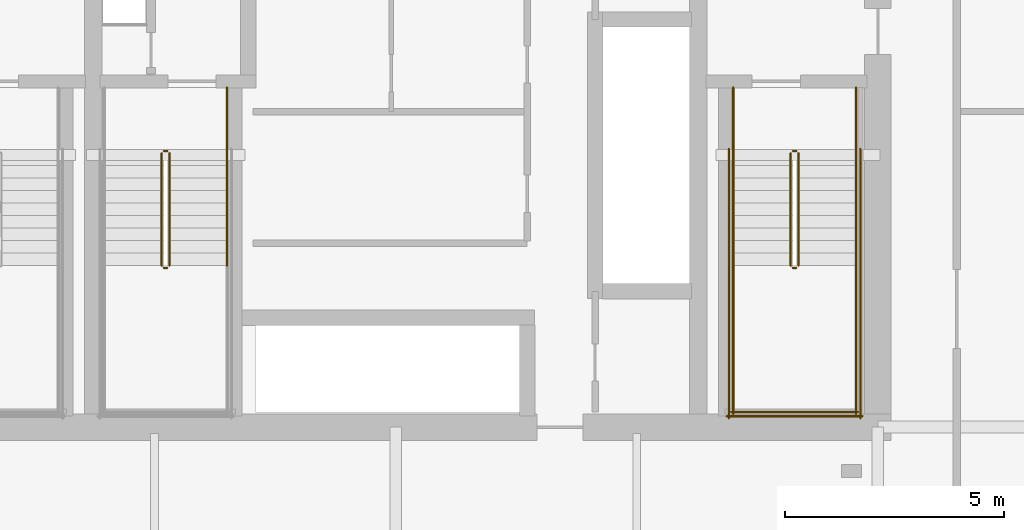
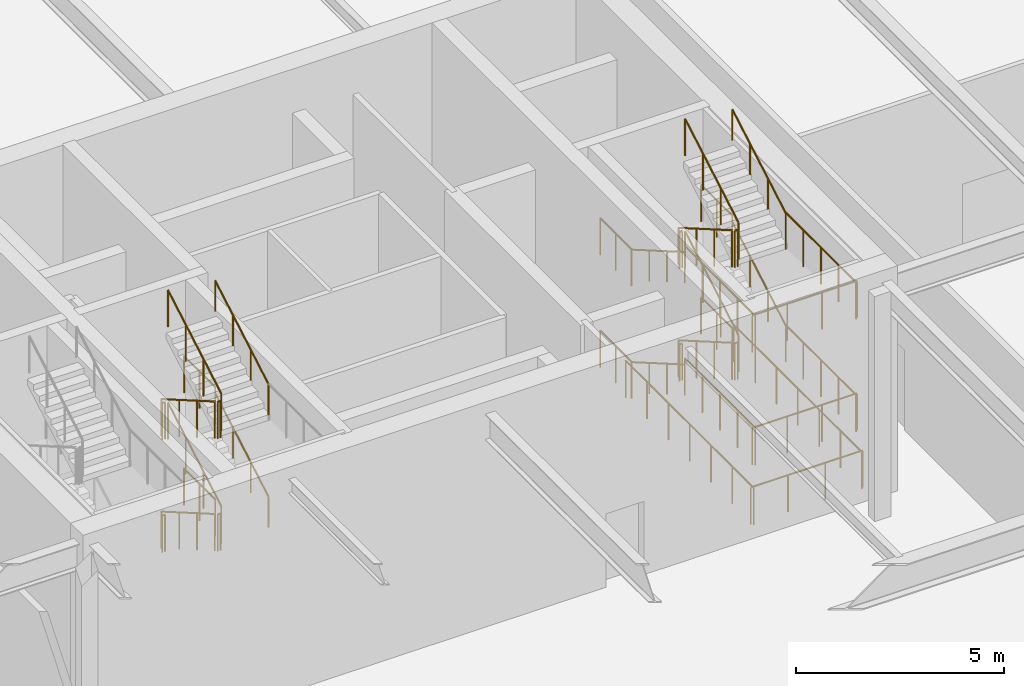
# One storey, part 13 of 16: 37 railings.
"""IFC4 building model written with IfcOpenShell, lengths in metres."""

from ifc_helpers import new_model, si_unit, direction, frame, origin, origin_2d, place, context, subcontext, project, spatial, circle, extrude, material, type_object, element, save


model = new_model("IFC4")

# Units and contexts
model_context = context("Model", 3, precision=1e-05, world=origin(), true_north=direction((0.0, 1.0)))
body_context = subcontext(model_context, "Body", "Model", "MODEL_VIEW")
ifc_project = project(units=[si_unit("LENGTHUNIT", "METRE"), si_unit("AREAUNIT", "SQUARE_METRE"), si_unit("VOLUMEUNIT", "CUBIC_METRE"), si_unit("PLANEANGLEUNIT", "RADIAN"), si_unit("MASSUNIT", "GRAM", prefix="KILO")], contexts=[model_context])

# Site, building, storey
site_placement = place(None, origin())
site = spatial("IfcSite", under=ifc_project, at=site_placement, CompositionType="ELEMENT")
building_placement = place(site_placement, origin())
building = spatial("IfcBuilding", under=site, at=building_placement, Name="Bramvorn Convention Spire", CompositionType="ELEMENT")
storey_placement = place(building_placement, frame((0.0, 0.0, 12.0)))
storey = spatial("IfcBuildingStorey", under=building, at=storey_placement, Name="L02", CompositionType="ELEMENT", Elevation=12.0)

# Railings
ifc_material_1 = material(Name="Painted Steel Balustrade & Guardrail", Category="steel")
railing_type_1 = type_object("IfcRailingType", Name="RL-STAIR-GUARD-1100", PredefinedType="GUARDRAIL", material=ifc_material_1)
railing_1_placement = place(storey_placement, frame((47.010009765625, 25.050048828125, 0.1650390625)))
element("IfcRailing", 1, at=railing_1_placement, inside=storey, type_object=railing_type_1, Name="L02 ST2 stair guard 1", PredefinedType="GUARDRAIL", context=body_context, shape_type="SweptSolid", body=[
    extrude(circle(Radius=0.02392578125, at=origin_2d()), frame((0.0, 0.0, 1.076171875), z_axis=(0.0, -0.865441324677, 0.50101029285), x_axis=(1.0, 0.0, 0.0)), (0.0, 0.0, 1.0), 2.963623046875),
    extrude(circle(Radius=0.02099609375, at=origin_2d()), origin(), (0.0, 0.0, 1.0), 1.052001953125),
    extrude(circle(Radius=0.02099609375, at=origin_2d()), frame((0.0, -0.85498046875, 0.494873046875)), (0.0, 0.0, 1.0), 1.052001953125),
    extrude(circle(Radius=0.02099609375, at=origin_2d()), frame((0.0, -1.7099609375, 0.989990234375)), (0.0, 0.0, 1.0), 1.052001953125),
    extrude(circle(Radius=0.02099609375, at=origin_2d()), frame((0.0, -2.56494140625, 1.48486328125)), (0.0, 0.0, 1.0), 1.052001953125),
])
railing_2_placement = place(storey_placement, frame((47.06005859375, 22.43505859375, 1.64990234375)))
element("IfcRailing", 2, at=railing_2_placement, inside=storey, type_object=railing_type_1, Name="L02 ST2 stair guard 2", PredefinedType="GUARDRAIL", context=body_context, shape_type="SweptSolid", body=[
    extrude(circle(Radius=0.02392578125, at=origin_2d()), frame((0.0, 0.0, 1.076171875), z_axis=(1.0, 0.0, 0.0), x_axis=(0.0, 1.0, 0.0)), (0.0, 0.0, 1.0), 0.079833984375),
    extrude(circle(Radius=0.02099609375, at=origin_2d()), origin(), (0.0, 0.0, 1.0), 1.052001953125),
    extrude(circle(Radius=0.02099609375, at=origin_2d()), frame((0.079833984375, 0.0, 0.0)), (0.0, 0.0, 1.0), 1.052001953125),
])
for number, where, name in (
    (3, (45.699951171875, 22.485107421875, 1.64990234375), "L02 ST2 stair guard 3"),
    (4, (48.5, 22.485107421875, 1.64990234375), "L02 ST2 stair guard 4"),
):
    element("IfcRailing", number, at=place(storey_placement, frame(where)), inside=storey, type_object=railing_type_1, Name=name, PredefinedType="GUARDRAIL", context=body_context, shape_type="SweptSolid", body=[
        extrude(circle(Radius=0.02392578125, at=origin_2d()), frame((0.0, 0.0, 1.076171875), z_axis=(0.0, -1.0, 0.0), x_axis=(1.0, 0.0, 0.0)), (0.0, 0.0, 1.0), 3.385009765625),
        extrude(circle(Radius=0.02099609375, at=origin_2d()), origin(), (0.0, 0.0, 1.0), 1.052001953125),
        extrude(circle(Radius=0.02099609375, at=origin_2d()), frame((0.0, -0.84619140625, 0.0)), (0.0, 0.0, 1.0), 1.052001953125),
        extrude(circle(Radius=0.02099609375, at=origin_2d()), frame((0.0, -1.6923828125, 0.0)), (0.0, 0.0, 1.0), 1.052001953125),
        extrude(circle(Radius=0.02099609375, at=origin_2d()), frame((0.0, -2.538818359375, 0.0)), (0.0, 0.0, 1.0), 1.052001953125),
        extrude(circle(Radius=0.02099609375, at=origin_2d()), frame((0.0, -3.385009765625, 0.0)), (0.0, 0.0, 1.0), 1.052001953125),
    ])
railing_3_placement = place(storey_placement, frame((45.64990234375, 19.14990234375, 1.64990234375)))
element("IfcRailing", 5, at=railing_3_placement, inside=storey, type_object=railing_type_1, Name="L02 ST2 stair guard 5", PredefinedType="GUARDRAIL", context=body_context, shape_type="SweptSolid", body=[
    extrude(circle(Radius=0.02392578125, at=origin_2d()), frame((0.0, 0.0, 1.076171875), z_axis=(1.0, 0.0, 0.0), x_axis=(0.0, 1.0, 0.0)), (0.0, 0.0, 1.0), 2.900146484375),
    extrude(circle(Radius=0.02099609375, at=origin_2d()), origin(), (0.0, 0.0, 1.0), 1.052001953125),
    extrude(circle(Radius=0.02099609375, at=origin_2d()), frame((0.966796875, 0.0, 0.0)), (0.0, 0.0, 1.0), 1.052001953125),
    extrude(circle(Radius=0.02099609375, at=origin_2d()), frame((1.933349609375, 0.0, 0.0)), (0.0, 0.0, 1.0), 1.052001953125),
    extrude(circle(Radius=0.02099609375, at=origin_2d()), frame((2.900146484375, 0.0, 0.0)), (0.0, 0.0, 1.0), 1.052001953125),
])
railing_4_placement = place(storey_placement, frame((47.18994140625, 22.485107421875, 1.81494140625)))
element("IfcRailing", 6, at=railing_4_placement, inside=storey, type_object=railing_type_1, Name="L02 ST2 stair guard 6", PredefinedType="GUARDRAIL", context=body_context, shape_type="SweptSolid", body=[
    extrude(circle(Radius=0.02392578125, at=origin_2d()), frame((0.0, 0.0, 1.076171875), z_axis=(0.0, 0.865405606168, 0.501071987656), x_axis=(-1.0, 0.0, 0.0)), (0.0, 0.0, 1.0), 2.9638671875),
    extrude(circle(Radius=0.02099609375, at=origin_2d()), origin(), (0.0, 0.0, 1.0), 1.052001953125),
    extrude(circle(Radius=0.02099609375, at=origin_2d()), frame((0.0, 0.85498046875, 0.4951171875)), (0.0, 0.0, 1.0), 1.052001953125),
    extrude(circle(Radius=0.02099609375, at=origin_2d()), frame((0.0, 1.7099609375, 0.989990234375)), (0.0, 0.0, 1.0), 1.052001953125),
    extrude(circle(Radius=0.02099609375, at=origin_2d()), frame((0.0, 2.56494140625, 1.485107421875)), (0.0, 0.0, 1.0), 1.052001953125),
])
railing_5_placement = place(storey_placement, frame((47.06005859375, 25.10009765625, 3.300048828125)))
element("IfcRailing", 7, at=railing_5_placement, inside=storey, type_object=railing_type_1, Name="L02 ST2 stair guard 7", PredefinedType="GUARDRAIL", context=body_context, shape_type="SweptSolid", body=[
    extrude(circle(Radius=0.02392578125, at=origin_2d()), frame((0.0, 0.0, 1.076171875), z_axis=(1.0, 0.0, 0.0), x_axis=(0.0, 1.0, 0.0)), (0.0, 0.0, 1.0), 0.079833984375),
    extrude(circle(Radius=0.02099609375, at=origin_2d()), origin(), (0.0, 0.0, 1.0), 1.052001953125),
    extrude(circle(Radius=0.02099609375, at=origin_2d()), frame((0.079833984375, 0.0, 0.0)), (0.0, 0.0, 1.0), 1.052001953125),
])
for number, where, name in (
    (8, (45.699951171875, 26.550048828125, 3.300048828125), "L02 ST2 stair guard 8"),
    (9, (48.5, 26.550048828125, 3.300048828125), "L02 ST2 stair guard 9"),
):
    element("IfcRailing", number, at=place(storey_placement, frame(where)), inside=storey, type_object=railing_type_1, Name=name, PredefinedType="GUARDRAIL", context=body_context, shape_type="SweptSolid", body=[
        extrude(circle(Radius=0.02392578125, at=origin_2d()), frame((0.0, 0.0, 1.076171875), z_axis=(0.0, -1.0, 0.0), x_axis=(1.0, 0.0, 0.0)), (0.0, 0.0, 1.0), 1.5),
        extrude(circle(Radius=0.02099609375, at=origin_2d()), origin(), (0.0, 0.0, 1.0), 1.052001953125),
        extrude(circle(Radius=0.02099609375, at=origin_2d()), frame((0.0, -0.75, 0.0)), (0.0, 0.0, 1.0), 1.052001953125),
        extrude(circle(Radius=0.02099609375, at=origin_2d()), frame((0.0, -1.5, 0.0)), (0.0, 0.0, 1.0), 1.052001953125),
    ])
railing_6_placement = place(storey_placement, frame((47.010009765625, 25.050048828125, 3.465087890625)))
element("IfcRailing", 10, at=railing_6_placement, inside=storey, type_object=railing_type_1, Name="L02 ST2 stair guard 10", PredefinedType="GUARDRAIL", context=body_context, shape_type="SweptSolid", body=[
    extrude(circle(Radius=0.02392578125, at=origin_2d()), frame((0.0, 0.0, 1.076171875), z_axis=(0.0, -0.865441324677, 0.50101029285), x_axis=(1.0, 0.0, 0.0)), (0.0, 0.0, 1.0), 2.963623046875),
    extrude(circle(Radius=0.02099609375, at=origin_2d()), origin(), (0.0, 0.0, 1.0), 1.052001953125),
    extrude(circle(Radius=0.02099609375, at=origin_2d()), frame((0.0, -0.85498046875, 0.494873046875)), (0.0, 0.0, 1.0), 1.052001953125),
    extrude(circle(Radius=0.02099609375, at=origin_2d()), frame((0.0, -1.7099609375, 0.989990234375)), (0.0, 0.0, 1.0), 1.052001953125),
    extrude(circle(Radius=0.02099609375, at=origin_2d()), frame((0.0, -2.56494140625, 1.48486328125)), (0.0, 0.0, 1.0), 1.052001953125),
])
railing_7_placement = place(storey_placement, frame((47.06005859375, 22.43505859375, 4.949951171875)))
element("IfcRailing", 11, at=railing_7_placement, inside=storey, type_object=railing_type_1, Name="L02 ST2 stair guard 11", PredefinedType="GUARDRAIL", context=body_context, shape_type="SweptSolid", body=[
    extrude(circle(Radius=0.02392578125, at=origin_2d()), frame((0.0, 0.0, 1.076171875), z_axis=(1.0, 0.0, 0.0), x_axis=(0.0, 1.0, 0.0)), (0.0, 0.0, 1.0), 0.079833984375),
    extrude(circle(Radius=0.02099609375, at=origin_2d()), origin(), (0.0, 0.0, 1.0), 1.052001953125),
    extrude(circle(Radius=0.02099609375, at=origin_2d()), frame((0.079833984375, 0.0, 0.0)), (0.0, 0.0, 1.0), 1.052001953125),
])
for number, where, name in (
    (12, (45.699951171875, 22.485107421875, 4.949951171875), "L02 ST2 stair guard 12"),
    (13, (48.5, 22.485107421875, 4.949951171875), "L02 ST2 stair guard 13"),
):
    element("IfcRailing", number, at=place(storey_placement, frame(where)), inside=storey, type_object=railing_type_1, Name=name, PredefinedType="GUARDRAIL", context=body_context, shape_type="SweptSolid", body=[
        extrude(circle(Radius=0.02392578125, at=origin_2d()), frame((0.0, 0.0, 1.076171875), z_axis=(0.0, -1.0, 0.0), x_axis=(1.0, 0.0, 0.0)), (0.0, 0.0, 1.0), 3.385009765625),
        extrude(circle(Radius=0.02099609375, at=origin_2d()), origin(), (0.0, 0.0, 1.0), 1.052001953125),
        extrude(circle(Radius=0.02099609375, at=origin_2d()), frame((0.0, -0.84619140625, 0.0)), (0.0, 0.0, 1.0), 1.052001953125),
        extrude(circle(Radius=0.02099609375, at=origin_2d()), frame((0.0, -1.6923828125, 0.0)), (0.0, 0.0, 1.0), 1.052001953125),
        extrude(circle(Radius=0.02099609375, at=origin_2d()), frame((0.0, -2.538818359375, 0.0)), (0.0, 0.0, 1.0), 1.052001953125),
        extrude(circle(Radius=0.02099609375, at=origin_2d()), frame((0.0, -3.385009765625, 0.0)), (0.0, 0.0, 1.0), 1.052001953125),
    ])
railing_8_placement = place(storey_placement, frame((45.64990234375, 19.14990234375, 4.949951171875)))
element("IfcRailing", 14, at=railing_8_placement, inside=storey, type_object=railing_type_1, Name="L02 ST2 stair guard 14", PredefinedType="GUARDRAIL", context=body_context, shape_type="SweptSolid", body=[
    extrude(circle(Radius=0.02392578125, at=origin_2d()), frame((0.0, 0.0, 1.076171875), z_axis=(1.0, 0.0, 0.0), x_axis=(0.0, 1.0, 0.0)), (0.0, 0.0, 1.0), 2.900146484375),
    extrude(circle(Radius=0.02099609375, at=origin_2d()), origin(), (0.0, 0.0, 1.0), 1.052001953125),
    extrude(circle(Radius=0.02099609375, at=origin_2d()), frame((0.966796875, 0.0, 0.0)), (0.0, 0.0, 1.0), 1.052001953125),
    extrude(circle(Radius=0.02099609375, at=origin_2d()), frame((1.933349609375, 0.0, 0.0)), (0.0, 0.0, 1.0), 1.052001953125),
    extrude(circle(Radius=0.02099609375, at=origin_2d()), frame((2.900146484375, 0.0, 0.0)), (0.0, 0.0, 1.0), 1.052001953125),
])
railing_9_placement = place(storey_placement, frame((47.18994140625, 22.485107421875, 5.114990234375)))
element("IfcRailing", 15, at=railing_9_placement, inside=storey, type_object=railing_type_1, Name="L02 ST2 stair guard 15", PredefinedType="GUARDRAIL", context=body_context, shape_type="SweptSolid", body=[
    extrude(circle(Radius=0.02392578125, at=origin_2d()), frame((0.0, 0.0, 1.076171875), z_axis=(0.0, 0.865405606168, 0.501071987656), x_axis=(-1.0, 0.0, 0.0)), (0.0, 0.0, 1.0), 2.9638671875),
    extrude(circle(Radius=0.02099609375, at=origin_2d()), origin(), (0.0, 0.0, 1.0), 1.052001953125),
    extrude(circle(Radius=0.02099609375, at=origin_2d()), frame((0.0, 0.85498046875, 0.4951171875)), (0.0, 0.0, 1.0), 1.052001953125),
    extrude(circle(Radius=0.02099609375, at=origin_2d()), frame((0.0, 1.7099609375, 0.989990234375)), (0.0, 0.0, 1.0), 1.052001953125),
    extrude(circle(Radius=0.02099609375, at=origin_2d()), frame((0.0, 2.56494140625, 1.485107421875)), (0.0, 0.0, 1.0), 1.052001953125),
])
railing_10_placement = place(storey_placement, frame((47.06005859375, 25.10009765625, 0.0)))
element("IfcRailing", 16, at=railing_10_placement, inside=storey, type_object=railing_type_1, Name="L02 ST2 stair guard 16", PredefinedType="GUARDRAIL", context=body_context, shape_type="SweptSolid", body=[
    extrude(circle(Radius=0.02392578125, at=origin_2d()), frame((0.0, 0.0, 1.076171875), z_axis=(1.0, 0.0, 0.0), x_axis=(0.0, 1.0, 0.0)), (0.0, 0.0, 1.0), 0.079833984375),
    extrude(circle(Radius=0.02099609375, at=origin_2d()), origin(), (0.0, 0.0, 1.0), 1.052001953125),
    extrude(circle(Radius=0.02099609375, at=origin_2d()), frame((0.079833984375, 0.0, 0.0)), (0.0, 0.0, 1.0), 1.052001953125),
])
for number, where, name in (
    (17, (45.699951171875, 26.550048828125, 0.0), "L02 ST2 stair guard 17"),
    (18, (48.5, 26.550048828125, 0.0), "L02 ST2 stair guard 18"),
):
    element("IfcRailing", number, at=place(storey_placement, frame(where)), inside=storey, type_object=railing_type_1, Name=name, PredefinedType="GUARDRAIL", context=body_context, shape_type="SweptSolid", body=[
        extrude(circle(Radius=0.02392578125, at=origin_2d()), frame((0.0, 0.0, 1.076171875), z_axis=(0.0, -1.0, 0.0), x_axis=(1.0, 0.0, 0.0)), (0.0, 0.0, 1.0), 1.5),
        extrude(circle(Radius=0.02099609375, at=origin_2d()), origin(), (0.0, 0.0, 1.0), 1.052001953125),
        extrude(circle(Radius=0.02099609375, at=origin_2d()), frame((0.0, -0.75, 0.0)), (0.0, 0.0, 1.0), 1.052001953125),
        extrude(circle(Radius=0.02099609375, at=origin_2d()), frame((0.0, -1.5, 0.0)), (0.0, 0.0, 1.0), 1.052001953125),
    ])
for number, where, name in (
    (19, (45.60009765625, 25.14990234375, 0.0), "L02 ST2 stair guard 19"),
    (20, (48.60009765625, 25.14990234375, 0.0), "L02 ST2 stair guard 20"),
):
    element("IfcRailing", number, at=place(storey_placement, frame(where)), inside=storey, type_object=railing_type_1, Name=name, PredefinedType="GUARDRAIL", context=body_context, shape_type="SweptSolid", body=[
        extrude(circle(Radius=0.02392578125, at=origin_2d()), frame((0.0, 0.0, 1.076171875), z_axis=(0.0, -1.0, 0.0), x_axis=(1.0, 0.0, 0.0)), (0.0, 0.0, 1.0), 6.14990234375),
        extrude(circle(Radius=0.02099609375, at=origin_2d()), origin(), (0.0, 0.0, 1.0), 1.052001953125),
        extrude(circle(Radius=0.02099609375, at=origin_2d()), frame((0.0, -1.02490234375, 0.0)), (0.0, 0.0, 1.0), 1.052001953125),
        extrude(circle(Radius=0.02099609375, at=origin_2d()), frame((0.0, -2.050048828125, 0.0)), (0.0, 0.0, 1.0), 1.052001953125),
        extrude(circle(Radius=0.02099609375, at=origin_2d()), frame((0.0, -3.074951171875, 0.0)), (0.0, 0.0, 1.0), 1.052001953125),
        extrude(circle(Radius=0.02099609375, at=origin_2d()), frame((0.0, -4.099853515625, 0.0)), (0.0, 0.0, 1.0), 1.052001953125),
        extrude(circle(Radius=0.02099609375, at=origin_2d()), frame((0.0, -5.125, 0.0)), (0.0, 0.0, 1.0), 1.052001953125),
        extrude(circle(Radius=0.02099609375, at=origin_2d()), frame((0.0, -6.14990234375, 0.0)), (0.0, 0.0, 1.0), 1.052001953125),
    ])
railing_11_placement = place(storey_placement, frame((45.550048828125, 19.050048828125, 0.0)))
element("IfcRailing", 21, at=railing_11_placement, inside=storey, type_object=railing_type_1, Name="L02 ST2 stair guard 21", PredefinedType="GUARDRAIL", context=body_context, shape_type="SweptSolid", body=[
    extrude(circle(Radius=0.02392578125, at=origin_2d()), frame((0.0, 0.0, 1.076171875), z_axis=(1.0, 0.0, 0.0), x_axis=(0.0, 1.0, 0.0)), (0.0, 0.0, 1.0), 3.099853515625),
    extrude(circle(Radius=0.02099609375, at=origin_2d()), origin(), (0.0, 0.0, 1.0), 1.052001953125),
    extrude(circle(Radius=0.02099609375, at=origin_2d()), frame((1.033203125, 0.0, 0.0)), (0.0, 0.0, 1.0), 1.052001953125),
    extrude(circle(Radius=0.02099609375, at=origin_2d()), frame((2.066650390625, 0.0, 0.0)), (0.0, 0.0, 1.0), 1.052001953125),
    extrude(circle(Radius=0.02099609375, at=origin_2d()), frame((3.099853515625, 0.0, 0.0)), (0.0, 0.0, 1.0), 1.052001953125),
])
railing_12_placement = place(storey_placement, frame((32.659912109375, 25.050048828125, 0.1650390625)))
element("IfcRailing", 22, at=railing_12_placement, inside=storey, type_object=railing_type_1, Name="L02 ST3 stair guard 1", PredefinedType="GUARDRAIL", context=body_context, shape_type="SweptSolid", body=[
    extrude(circle(Radius=0.02392578125, at=origin_2d()), frame((0.0, 0.0, 1.076171875), z_axis=(0.0, -0.865441324677, 0.50101029285), x_axis=(1.0, 0.0, 0.0)), (0.0, 0.0, 1.0), 2.963623046875),
    extrude(circle(Radius=0.02099609375, at=origin_2d()), origin(), (0.0, 0.0, 1.0), 1.052001953125),
    extrude(circle(Radius=0.02099609375, at=origin_2d()), frame((0.0, -0.85498046875, 0.494873046875)), (0.0, 0.0, 1.0), 1.052001953125),
    extrude(circle(Radius=0.02099609375, at=origin_2d()), frame((0.0, -1.7099609375, 0.989990234375)), (0.0, 0.0, 1.0), 1.052001953125),
    extrude(circle(Radius=0.02099609375, at=origin_2d()), frame((0.0, -2.56494140625, 1.48486328125)), (0.0, 0.0, 1.0), 1.052001953125),
])
railing_13_placement = place(storey_placement, frame((32.7099609375, 22.43505859375, 1.64990234375)))
element("IfcRailing", 23, at=railing_13_placement, inside=storey, type_object=railing_type_1, Name="L02 ST3 stair guard 2", PredefinedType="GUARDRAIL", context=body_context, shape_type="SweptSolid", body=[
    extrude(circle(Radius=0.02392578125, at=origin_2d()), frame((0.0, 0.0, 1.076171875), z_axis=(1.0, 0.0, 0.0), x_axis=(0.0, 1.0, 0.0)), (0.0, 0.0, 1.0), 0.080078125),
    extrude(circle(Radius=0.02099609375, at=origin_2d()), origin(), (0.0, 0.0, 1.0), 1.052001953125),
    extrude(circle(Radius=0.02099609375, at=origin_2d()), frame((0.080078125, 0.0, 0.0)), (0.0, 0.0, 1.0), 1.052001953125),
])
railing_14_placement = place(storey_placement, frame((32.840087890625, 22.485107421875, 1.81494140625)))
element("IfcRailing", 24, at=railing_14_placement, inside=storey, type_object=railing_type_1, Name="L02 ST3 stair guard 6", PredefinedType="GUARDRAIL", context=body_context, shape_type="SweptSolid", body=[
    extrude(circle(Radius=0.02392578125, at=origin_2d()), frame((0.0, 0.0, 1.076171875), z_axis=(0.0, 0.865405606168, 0.501071987656), x_axis=(-1.0, 0.0, 0.0)), (0.0, 0.0, 1.0), 2.9638671875),
    extrude(circle(Radius=0.02099609375, at=origin_2d()), origin(), (0.0, 0.0, 1.0), 1.052001953125),
    extrude(circle(Radius=0.02099609375, at=origin_2d()), frame((0.0, 0.85498046875, 0.4951171875)), (0.0, 0.0, 1.0), 1.052001953125),
    extrude(circle(Radius=0.02099609375, at=origin_2d()), frame((0.0, 1.7099609375, 0.989990234375)), (0.0, 0.0, 1.0), 1.052001953125),
    extrude(circle(Radius=0.02099609375, at=origin_2d()), frame((0.0, 2.56494140625, 1.485107421875)), (0.0, 0.0, 1.0), 1.052001953125),
])
railing_15_placement = place(storey_placement, frame((32.7099609375, 25.10009765625, 3.300048828125)))
element("IfcRailing", 25, at=railing_15_placement, inside=storey, type_object=railing_type_1, Name="L02 ST3 stair guard 7", PredefinedType="GUARDRAIL", context=body_context, shape_type="SweptSolid", body=[
    extrude(circle(Radius=0.02392578125, at=origin_2d()), frame((0.0, 0.0, 1.076171875), z_axis=(1.0, 0.0, 0.0), x_axis=(0.0, 1.0, 0.0)), (0.0, 0.0, 1.0), 0.080078125),
    extrude(circle(Radius=0.02099609375, at=origin_2d()), origin(), (0.0, 0.0, 1.0), 1.052001953125),
    extrude(circle(Radius=0.02099609375, at=origin_2d()), frame((0.080078125, 0.0, 0.0)), (0.0, 0.0, 1.0), 1.052001953125),
])
railing_16_placement = place(storey_placement, frame((34.14990234375, 26.550048828125, 3.300048828125)))
element("IfcRailing", 26, at=railing_16_placement, inside=storey, type_object=railing_type_1, Name="L02 ST3 stair guard 9", PredefinedType="GUARDRAIL", context=body_context, shape_type="SweptSolid", body=[
    extrude(circle(Radius=0.02392578125, at=origin_2d()), frame((0.0, 0.0, 1.076171875), z_axis=(0.0, -1.0, 0.0), x_axis=(1.0, 0.0, 0.0)), (0.0, 0.0, 1.0), 1.5),
    extrude(circle(Radius=0.02099609375, at=origin_2d()), origin(), (0.0, 0.0, 1.0), 1.052001953125),
    extrude(circle(Radius=0.02099609375, at=origin_2d()), frame((0.0, -0.75, 0.0)), (0.0, 0.0, 1.0), 1.052001953125),
    extrude(circle(Radius=0.02099609375, at=origin_2d()), frame((0.0, -1.5, 0.0)), (0.0, 0.0, 1.0), 1.052001953125),
])
railing_17_placement = place(storey_placement, frame((32.659912109375, 25.050048828125, 3.465087890625)))
element("IfcRailing", 27, at=railing_17_placement, inside=storey, type_object=railing_type_1, Name="L02 ST3 stair guard 10", PredefinedType="GUARDRAIL", context=body_context, shape_type="SweptSolid", body=[
    extrude(circle(Radius=0.02392578125, at=origin_2d()), frame((0.0, 0.0, 1.076171875), z_axis=(0.0, -0.865441324677, 0.50101029285), x_axis=(1.0, 0.0, 0.0)), (0.0, 0.0, 1.0), 2.963623046875),
    extrude(circle(Radius=0.02099609375, at=origin_2d()), origin(), (0.0, 0.0, 1.0), 1.052001953125),
    extrude(circle(Radius=0.02099609375, at=origin_2d()), frame((0.0, -0.85498046875, 0.494873046875)), (0.0, 0.0, 1.0), 1.052001953125),
    extrude(circle(Radius=0.02099609375, at=origin_2d()), frame((0.0, -1.7099609375, 0.989990234375)), (0.0, 0.0, 1.0), 1.052001953125),
    extrude(circle(Radius=0.02099609375, at=origin_2d()), frame((0.0, -2.56494140625, 1.48486328125)), (0.0, 0.0, 1.0), 1.052001953125),
])
railing_18_placement = place(storey_placement, frame((32.7099609375, 22.43505859375, 4.949951171875)))
element("IfcRailing", 28, at=railing_18_placement, inside=storey, type_object=railing_type_1, Name="L02 ST3 stair guard 11", PredefinedType="GUARDRAIL", context=body_context, shape_type="SweptSolid", body=[
    extrude(circle(Radius=0.02392578125, at=origin_2d()), frame((0.0, 0.0, 1.076171875), z_axis=(1.0, 0.0, 0.0), x_axis=(0.0, 1.0, 0.0)), (0.0, 0.0, 1.0), 0.080078125),
    extrude(circle(Radius=0.02099609375, at=origin_2d()), origin(), (0.0, 0.0, 1.0), 1.052001953125),
    extrude(circle(Radius=0.02099609375, at=origin_2d()), frame((0.080078125, 0.0, 0.0)), (0.0, 0.0, 1.0), 1.052001953125),
])
railing_19_placement = place(storey_placement, frame((32.840087890625, 22.485107421875, 5.114990234375)))
element("IfcRailing", 29, at=railing_19_placement, inside=storey, type_object=railing_type_1, Name="L02 ST3 stair guard 15", PredefinedType="GUARDRAIL", context=body_context, shape_type="SweptSolid", body=[
    extrude(circle(Radius=0.02392578125, at=origin_2d()), frame((0.0, 0.0, 1.076171875), z_axis=(0.0, 0.865405606168, 0.501071987656), x_axis=(-1.0, 0.0, 0.0)), (0.0, 0.0, 1.0), 2.9638671875),
    extrude(circle(Radius=0.02099609375, at=origin_2d()), origin(), (0.0, 0.0, 1.0), 1.052001953125),
    extrude(circle(Radius=0.02099609375, at=origin_2d()), frame((0.0, 0.85498046875, 0.4951171875)), (0.0, 0.0, 1.0), 1.052001953125),
    extrude(circle(Radius=0.02099609375, at=origin_2d()), frame((0.0, 1.7099609375, 0.989990234375)), (0.0, 0.0, 1.0), 1.052001953125),
    extrude(circle(Radius=0.02099609375, at=origin_2d()), frame((0.0, 2.56494140625, 1.485107421875)), (0.0, 0.0, 1.0), 1.052001953125),
])
railing_20_placement = place(storey_placement, frame((32.7099609375, 25.10009765625, 0.0)))
element("IfcRailing", 30, at=railing_20_placement, inside=storey, type_object=railing_type_1, Name="L02 ST3 stair guard 16", PredefinedType="GUARDRAIL", context=body_context, shape_type="SweptSolid", body=[
    extrude(circle(Radius=0.02392578125, at=origin_2d()), frame((0.0, 0.0, 1.076171875), z_axis=(1.0, 0.0, 0.0), x_axis=(0.0, 1.0, 0.0)), (0.0, 0.0, 1.0), 0.080078125),
    extrude(circle(Radius=0.02099609375, at=origin_2d()), origin(), (0.0, 0.0, 1.0), 1.052001953125),
    extrude(circle(Radius=0.02099609375, at=origin_2d()), frame((0.080078125, 0.0, 0.0)), (0.0, 0.0, 1.0), 1.052001953125),
])
railing_21_placement = place(storey_placement, frame((34.14990234375, 26.550048828125, 0.0)))
element("IfcRailing", 31, at=railing_21_placement, inside=storey, type_object=railing_type_1, Name="L02 ST3 stair guard 18", PredefinedType="GUARDRAIL", context=body_context, shape_type="SweptSolid", body=[
    extrude(circle(Radius=0.02392578125, at=origin_2d()), frame((0.0, 0.0, 1.076171875), z_axis=(0.0, -1.0, 0.0), x_axis=(1.0, 0.0, 0.0)), (0.0, 0.0, 1.0), 1.5),
    extrude(circle(Radius=0.02099609375, at=origin_2d()), origin(), (0.0, 0.0, 1.0), 1.052001953125),
    extrude(circle(Radius=0.02099609375, at=origin_2d()), frame((0.0, -0.75, 0.0)), (0.0, 0.0, 1.0), 1.052001953125),
    extrude(circle(Radius=0.02099609375, at=origin_2d()), frame((0.0, -1.5, 0.0)), (0.0, 0.0, 1.0), 1.052001953125),
])
ifc_material_2 = material(Name="Brushed Bronze Tubular Handrail", Category="aluminium")
railing_type_2 = type_object("IfcRailingType", Name="RL-STAIR-HR-920", PredefinedType="HANDRAIL", material=ifc_material_2)
railing_22_placement = place(storey_placement, frame((45.699951171875, 25.050048828125, 0.1650390625)))
element("IfcRailing", 32, at=railing_22_placement, inside=storey, type_object=railing_type_2, Name="L02 ST2 stair handrail 1", PredefinedType="HANDRAIL", context=body_context, shape_type="SweptSolid", body=[
    extrude(circle(Radius=0.02392578125, at=origin_2d()), frame((0.0, 0.0, 0.89599609375), z_axis=(0.0, -0.865441324677, 0.50101029285), x_axis=(1.0, 0.0, 0.0)), (0.0, 0.0, 1.0), 2.963623046875),
    extrude(circle(Radius=0.02099609375, at=origin_2d()), origin(), (0.0, 0.0, 1.0), 0.871826171875),
    extrude(circle(Radius=0.02099609375, at=origin_2d()), frame((0.0, -0.85498046875, 0.494873046875)), (0.0, 0.0, 1.0), 0.871826171875),
    extrude(circle(Radius=0.02099609375, at=origin_2d()), frame((0.0, -1.7099609375, 0.989990234375)), (0.0, 0.0, 1.0), 0.871826171875),
    extrude(circle(Radius=0.02099609375, at=origin_2d()), frame((0.0, -2.56494140625, 1.48486328125)), (0.0, 0.0, 1.0), 0.871826171875),
])
railing_23_placement = place(storey_placement, frame((48.5, 22.485107421875, 1.81494140625)))
element("IfcRailing", 33, at=railing_23_placement, inside=storey, type_object=railing_type_2, Name="L02 ST2 stair handrail 2", PredefinedType="HANDRAIL", context=body_context, shape_type="SweptSolid", body=[
    extrude(circle(Radius=0.02392578125, at=origin_2d()), frame((0.0, 0.0, 0.89599609375), z_axis=(0.0, 0.865405606168, 0.501071987656), x_axis=(-1.0, 0.0, 0.0)), (0.0, 0.0, 1.0), 2.9638671875),
    extrude(circle(Radius=0.02099609375, at=origin_2d()), origin(), (0.0, 0.0, 1.0), 0.871826171875),
    extrude(circle(Radius=0.02099609375, at=origin_2d()), frame((0.0, 0.85498046875, 0.4951171875)), (0.0, 0.0, 1.0), 0.871826171875),
    extrude(circle(Radius=0.02099609375, at=origin_2d()), frame((0.0, 1.7099609375, 0.989990234375)), (0.0, 0.0, 1.0), 0.871826171875),
    extrude(circle(Radius=0.02099609375, at=origin_2d()), frame((0.0, 2.56494140625, 1.485107421875)), (0.0, 0.0, 1.0), 0.871826171875),
])
railing_24_placement = place(storey_placement, frame((45.699951171875, 25.050048828125, 3.465087890625)))
element("IfcRailing", 34, at=railing_24_placement, inside=storey, type_object=railing_type_2, Name="L02 ST2 stair handrail 3", PredefinedType="HANDRAIL", context=body_context, shape_type="SweptSolid", body=[
    extrude(circle(Radius=0.02392578125, at=origin_2d()), frame((0.0, 0.0, 0.89599609375), z_axis=(0.0, -0.865441324677, 0.50101029285), x_axis=(1.0, 0.0, 0.0)), (0.0, 0.0, 1.0), 2.963623046875),
    extrude(circle(Radius=0.02099609375, at=origin_2d()), origin(), (0.0, 0.0, 1.0), 0.871826171875),
    extrude(circle(Radius=0.02099609375, at=origin_2d()), frame((0.0, -0.85498046875, 0.494873046875)), (0.0, 0.0, 1.0), 0.871826171875),
    extrude(circle(Radius=0.02099609375, at=origin_2d()), frame((0.0, -1.7099609375, 0.989990234375)), (0.0, 0.0, 1.0), 0.871826171875),
    extrude(circle(Radius=0.02099609375, at=origin_2d()), frame((0.0, -2.56494140625, 1.48486328125)), (0.0, 0.0, 1.0), 0.871826171875),
])
for number, where, name in (
    (35, (48.5, 22.485107421875, 5.114990234375), "L02 ST2 stair handrail 4"),
    (36, (34.14990234375, 22.485107421875, 1.81494140625), "L02 ST3 stair handrail 2"),
    (37, (34.14990234375, 22.485107421875, 5.114990234375), "L02 ST3 stair handrail 4"),
):
    element("IfcRailing", number, at=place(storey_placement, frame(where)), inside=storey, type_object=railing_type_2, Name=name, PredefinedType="HANDRAIL", context=body_context, shape_type="SweptSolid", body=[
        extrude(circle(Radius=0.02392578125, at=origin_2d()), frame((0.0, 0.0, 0.89599609375), z_axis=(0.0, 0.865405606168, 0.501071987656), x_axis=(-1.0, 0.0, 0.0)), (0.0, 0.0, 1.0), 2.9638671875),
        extrude(circle(Radius=0.02099609375, at=origin_2d()), origin(), (0.0, 0.0, 1.0), 0.871826171875),
        extrude(circle(Radius=0.02099609375, at=origin_2d()), frame((0.0, 0.85498046875, 0.4951171875)), (0.0, 0.0, 1.0), 0.871826171875),
        extrude(circle(Radius=0.02099609375, at=origin_2d()), frame((0.0, 1.7099609375, 0.989990234375)), (0.0, 0.0, 1.0), 0.871826171875),
        extrude(circle(Radius=0.02099609375, at=origin_2d()), frame((0.0, 2.56494140625, 1.485107421875)), (0.0, 0.0, 1.0), 0.871826171875),
    ])

save(model, "model.ifc")
